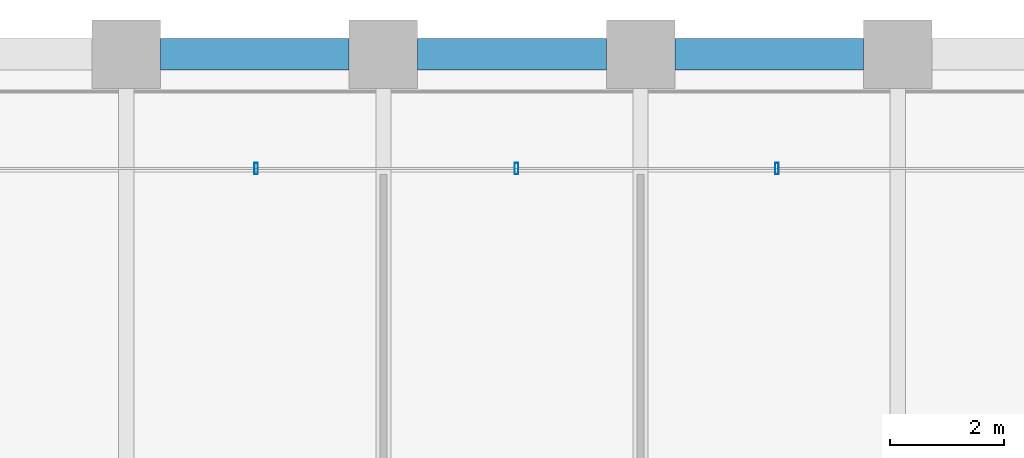
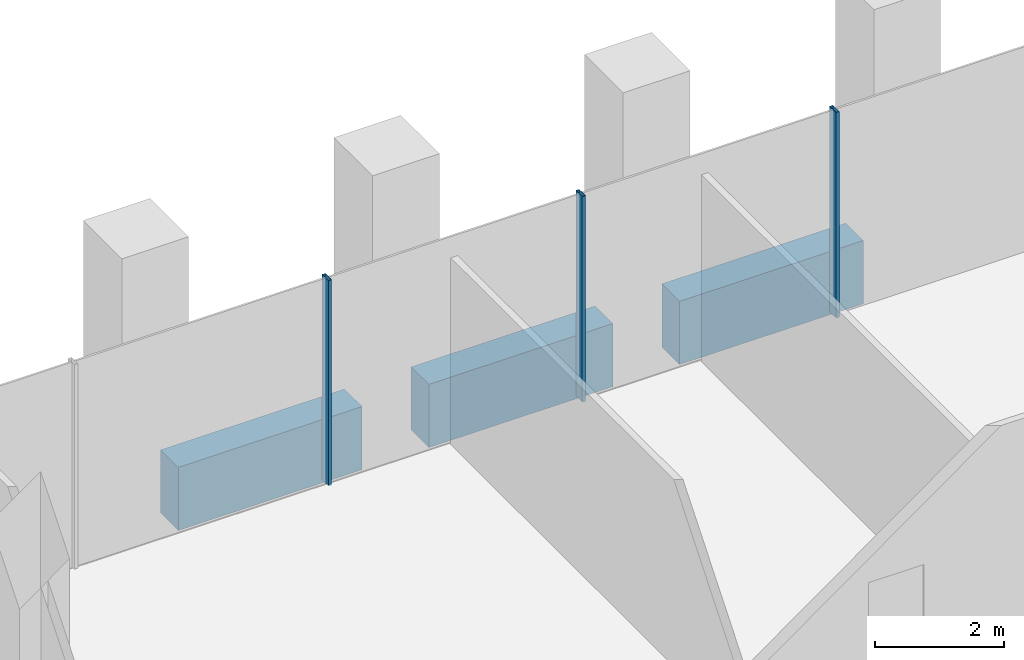
# One storey, part 16 of 36: 3 beams, 3 members, 1 element without a shape of its own.
"""IFC4 building model written with IfcOpenShell, lengths in metres."""

from ifc_helpers import new_model, si_unit, direction, frame, origin, origin_2d, place, context, subcontext, project, spatial, rectangle, hollow_rectangle, extrude, material, material_profile, profile_set, type_object, element, aggregate, save


model = new_model("IFC4")

# Units and contexts
model_context = context("Model", 3, precision=1e-05, world=origin(), true_north=direction((0.0, 1.0)))
body_context = subcontext(model_context, "Body", "Model", "MODEL_VIEW")
ifc_project = project(units=[si_unit("LENGTHUNIT", "METRE"), si_unit("AREAUNIT", "SQUARE_METRE"), si_unit("VOLUMEUNIT", "CUBIC_METRE"), si_unit("PLANEANGLEUNIT", "RADIAN"), si_unit("MASSUNIT", "GRAM", prefix="KILO")], contexts=[model_context])

# Site, building, storey
site_placement = place(None, origin())
site = spatial("IfcSite", under=ifc_project, at=site_placement, CompositionType="ELEMENT")
building_placement = place(site_placement, origin())
building = spatial("IfcBuilding", under=site, at=building_placement, Name="Altepetl Exchange Towers", CompositionType="ELEMENT")
storey_placement = place(building_placement, frame((0.0, 0.0, 43.0)))
storey = spatial("IfcBuildingStorey", under=building, at=storey_placement, Name="L09", CompositionType="ELEMENT", Elevation=43.0)

# Curtain wall, members
ifc_material_1 = material(Name="Aluminium 6063-T6 glazing", Category="aluminium")
curtain_wall_type = type_object("IfcCurtainWallType", Name="Trading floor glazing system", PredefinedType="NOTDEFINED", material=ifc_material_1)
curtain_wall_placement = place(storey_placement, origin())
curtain_wall = element("IfcCurtainWall", 1, at=curtain_wall_placement, inside=storey, type_object=curtain_wall_type, Name="CW2 run", PredefinedType="NOTDEFINED")
ifc_material_2 = material(Name="Aluminium 6063-T6", Category="aluminium")
ifc_material_profile_1 = material_profile(ifc_material_2, hollow_rectangle(XDim=0.06005859375, YDim=0.199951171875, WallThickness=0.0029296875, at=origin_2d()), Name="Mullion 60x200 aluminium")
ifc_profile_set_1 = profile_set([ifc_material_profile_1], Name="Aluminium 6063-T6")
member_type = type_object("IfcMemberType", Name="Mullion 60x200 aluminium", PredefinedType="MULLION", material=ifc_profile_set_1)
member_1_placement = place(storey_placement, frame((56.3857421875, 70.0, 0.0), z_axis=(0.0, 0.0, 1.0), x_axis=(-1.0, 0.0, 0.0)))
member_1 = element("IfcMember", 2, at=member_1_placement, type_object=member_type, Name="MU2 mullion", PredefinedType="MULLION", context=body_context, shape_type="SweptSolid", body=[
    extrude(hollow_rectangle(XDim=0.06005859375, YDim=0.199951171875, WallThickness=0.0029296875, at=origin_2d()), origin(), (0.0, 0.0, 1.0), 3.89990234375),
])
member_2_placement = place(storey_placement, frame((51.82861328125, 70.0, 0.0), z_axis=(0.0, 0.0, 1.0), x_axis=(-1.0, 0.0, 0.0)))
member_2 = element("IfcMember", 3, at=member_2_placement, type_object=member_type, Name="MU2 mullion", PredefinedType="MULLION", context=body_context, shape_type="SweptSolid", body=[
    extrude(hollow_rectangle(XDim=0.06005859375, YDim=0.199951171875, WallThickness=0.0029296875, at=origin_2d()), origin(), (0.0, 0.0, 1.0), 3.89990234375),
])
member_3_placement = place(storey_placement, frame((47.271484375, 70.0, 0.0), z_axis=(0.0, 0.0, 1.0), x_axis=(-1.0, 0.0, 0.0)))
member_3 = element("IfcMember", 4, at=member_3_placement, type_object=member_type, Name="MU2 mullion", PredefinedType="MULLION", context=body_context, shape_type="SweptSolid", body=[
    extrude(hollow_rectangle(XDim=0.06005859375, YDim=0.199951171875, WallThickness=0.0029296875, at=origin_2d()), origin(), (0.0, 0.0, 1.0), 3.89990234375),
])
aggregate(curtain_wall, [member_1, member_2, member_3])

# Beams
ifc_material_3 = material(Name="Concrete C50/60 precast with cantera rosa facing", Category="concrete")
ifc_material_profile_2 = material_profile(ifc_material_3, rectangle(XDim=0.550048828125, YDim=1.199951171875, at=origin_2d()), Name="550 x 1200")
ifc_profile_set_2 = profile_set([ifc_material_profile_2], Name="Concrete C50/60 precast with cantera rosa facing")
beam_type = type_object("IfcBeamType", Name="Spandrel beam 550x1200 cantera rosa", PredefinedType="SPANDREL", material=ifc_profile_set_2)
for number, where, z_axis, x_axis, name in (
    (5, (57.89990234375, 72.0, -0.77490234375), (-1.0, 0.0, 0.0), (0.0, -1.0, 0.0), "sp:A:L09:026"),
    (6, (53.39990234375, 72.0, -0.77490234375), (-1.0, 0.0, 0.0), (0.0, -1.0, 0.0), "sp:A:L09:027"),
    (7, (48.89990234375, 72.0, -0.77490234375), (-1.0, 0.0, 0.0), (0.0, -1.0, 0.0), "sp:A:L09:028"),
):
    element("IfcBeam", number, at=place(storey_placement, frame(where, z_axis=z_axis, x_axis=x_axis)), inside=storey, type_object=beam_type, Name=name, PredefinedType="SPANDREL", context=body_context, shape_type="SweptSolid", body=[
        extrude(rectangle(XDim=0.550048828125, YDim=1.199951171875, at=origin_2d()), origin(), (0.0, 0.0, 1.0), 3.2998046875),
    ])

save(model, "model.ifc")
